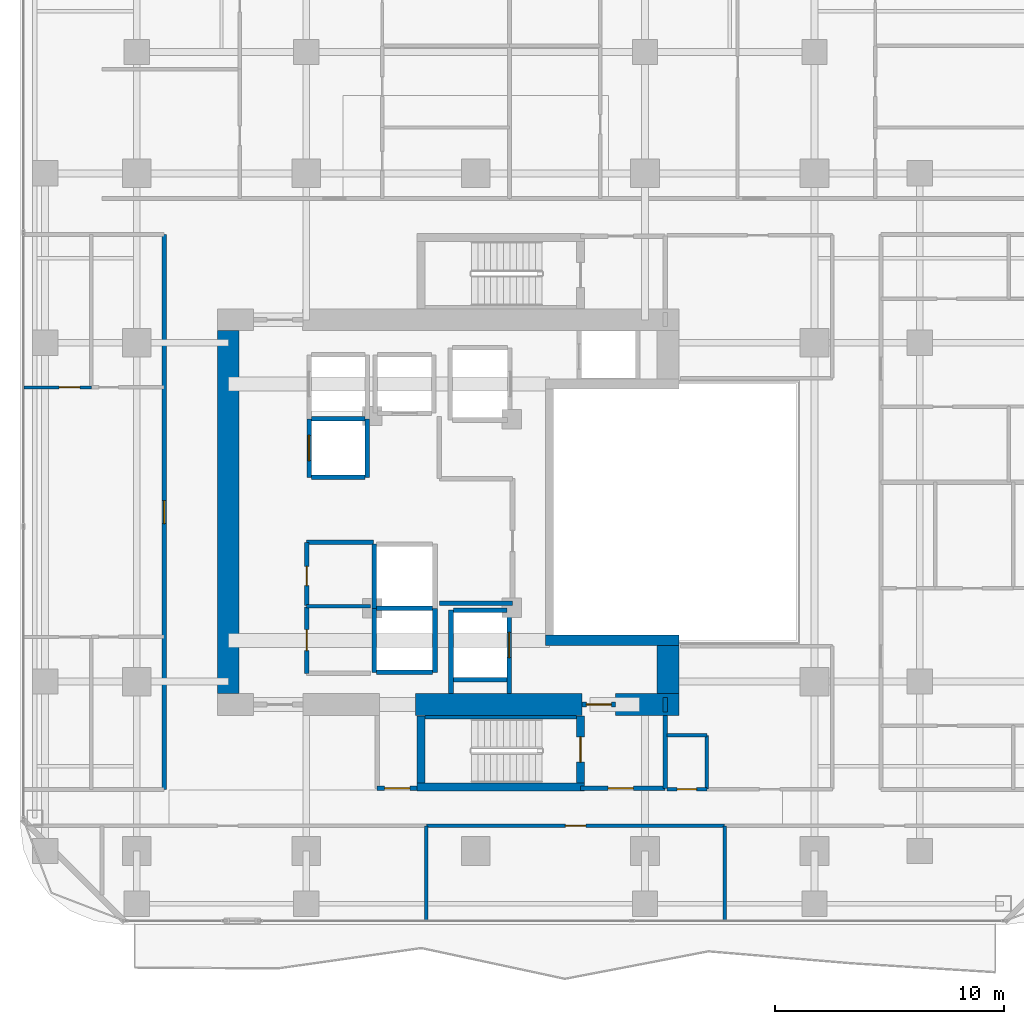
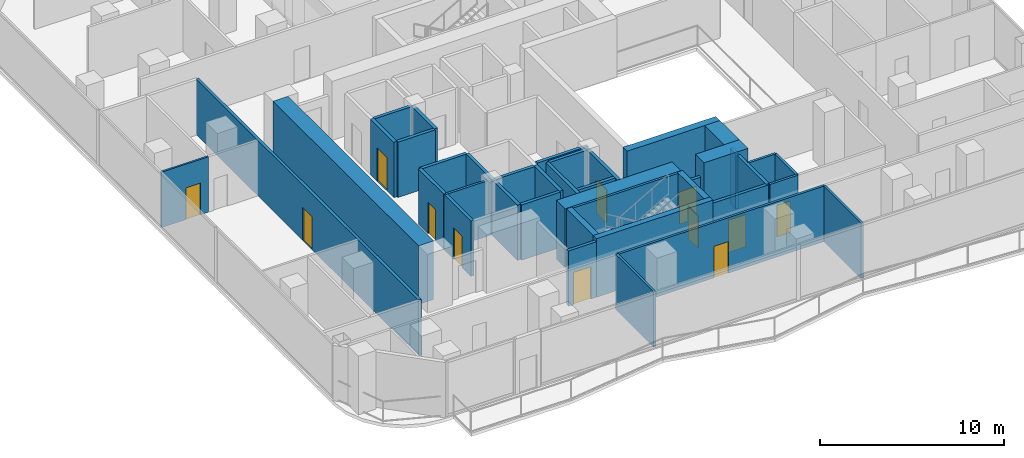
# One storey, part 20 of 27: 40 walls, 12 doors, 12 openings.
"""IFC4 building model written with IfcOpenShell, lengths in metres."""

from ifc_helpers import new_model, si_unit, direction, frame, frame_2d, origin, place, context, subcontext, project, spatial, rectangle, extrude, material, layer, layer_set, type_object, element, fill, save


model = new_model("IFC4")

# Units and contexts
model_context = context("Model", 3, precision=1e-05, world=origin(), true_north=direction((0.0, 1.0)))
body_context = subcontext(model_context, "Body", "Model", "MODEL_VIEW")
ifc_project = project(units=[si_unit("LENGTHUNIT", "METRE"), si_unit("AREAUNIT", "SQUARE_METRE"), si_unit("VOLUMEUNIT", "CUBIC_METRE"), si_unit("PLANEANGLEUNIT", "RADIAN"), si_unit("MASSUNIT", "GRAM", prefix="KILO")], contexts=[model_context])

# Site, building, storey
site_placement = place(None, origin())
site = spatial("IfcSite", under=ifc_project, at=site_placement, CompositionType="ELEMENT")
building_placement = place(site_placement, origin())
building = spatial("IfcBuilding", under=site, at=building_placement, Name="Khorvyn Point Tower", CompositionType="ELEMENT")
storey_placement = place(building_placement, frame((0.0, 0.0, 129.0)))
storey = spatial("IfcBuildingStorey", under=building, at=storey_placement, Name="L32", CompositionType="ELEMENT", Elevation=129.0)

# Wall, opening, door
ifc_material_1 = material(Name="Double acoustic gypsum on twin steel stud", Category="steel")
ifc_layer_1 = layer(ifc_material_1, 0.179931640625)
ifc_layer_set_1 = layer_set([ifc_layer_1], Name="Acoustic Double-Stud Apartment Demising Wall 180")
wall_type_1 = type_object("IfcWallType", Name="Acoustic Double-Stud Apartment Demising Wall 180", PredefinedType="PARTITIONING", material=ifc_layer_set_1)
wall_1_placement = place(storey_placement, frame((-13.60009765625, -12.1201171875, 0.0), z_axis=(0.0, 0.0, 1.0), x_axis=(0.0, 1.0, 0.0)))
wall_1 = element("IfcWall", 1, at=wall_1_placement, inside=storey, type_object=wall_type_1, Name="Wall", PredefinedType="PARTITIONING", context=body_context, shape_type="SweptSolid", body=[
    extrude(rectangle(XDim=24.240234375, YDim=0.179931640625, at=frame_2d((12.1201171875, 0.0))), origin(), (0.0, 0.0, 1.0), 3.679931640625),
])
opening_1_placement = place(wall_1_placement, frame((11.6201171875, 0.0, 0.0)))
opening_1 = element("IfcOpeningElement", 2, at=opening_1_placement, cuts=wall_1, Name="Opening ID-AP60", PredefinedType="OPENING", context=body_context, shape_type="SweptSolid", body=[
    extrude(rectangle(XDim=1.0, YDim=2.199951171875, at=frame_2d((0.5, 1.10009765625))), frame((0.0, 0.099853515625, 0.0), z_axis=(0.0, -1.0, 0.0), x_axis=(1.0, 0.0, 0.0)), (0.0, 0.0, 1.0), 0.199951171875),
])
ifc_material_2 = material(Name="Engineered hardwood fire-rated leaf", Category="wood")
door_type_1 = type_object("IfcDoorType", Name="Acoustic Solid-Core Timber Apartment Entrance Door 1000x2200", OperationType="NOTDEFINED", PredefinedType="DOOR", material=ifc_material_2)
door_1_placement = place(opening_1_placement, origin())
door_1 = element("IfcDoor", 3, at=door_1_placement, inside=storey, type_object=door_type_1, Name="Door", OperationType="SINGLE_SWING_LEFT", OverallHeight=2.199951171875, OverallWidth=1.0, PredefinedType="DOOR", context=body_context, shape_type="SweptSolid", body=[
    extrude(rectangle(XDim=1.0, YDim=2.199951171875, at=frame_2d((0.5, 1.10009765625))), frame((0.0, 0.02490234375, 0.0), z_axis=(0.0, -1.0, 0.0), x_axis=(1.0, 0.0, 0.0)), (0.0, 0.0, 1.0), 0.050048828125),
])
fill(opening_1, door_1)

# Wall
ifc_material_3 = material(Name="Concrete C40/50", Category="concrete")
ifc_layer_2 = layer(ifc_material_3, 0.449951171875)
ifc_layer_set_2 = layer_set([ifc_layer_2], Name="Concrete C40/50 Core Shear Wall 450")
wall_type_2 = type_object("IfcWallType", Name="Concrete C40/50 Core Shear Wall 450", PredefinedType="SHEAR", material=ifc_layer_set_2)
wall_2_placement = place(storey_placement, frame((3.044921875, -5.60009765625, 0.0), z_axis=(0.0, 0.0, 1.0), x_axis=(1.0, 0.0, 0.0)))
element("IfcWall", 4, at=wall_2_placement, inside=storey, type_object=wall_type_2, Name="Wall", PredefinedType="SHEAR", context=body_context, shape_type="SweptSolid", body=[
    extrude(rectangle(XDim=5.830078125, YDim=0.449951171875, at=frame_2d((2.9150390625, 0.0))), origin(), (0.0, 0.0, 1.0), 3.89990234375),
])

# Wall, opening, door
ifc_layer_3 = layer(ifc_material_3, 0.199951171875)
ifc_layer_set_3 = layer_set([ifc_layer_3], Name="Concrete C40/50 Fire-Lobby Compartment Wall 200")
wall_type_3 = type_object("IfcWallType", Name="Concrete C40/50 Fire-Lobby Compartment Wall 200", PredefinedType="SOLIDWALL", material=ifc_layer_set_3)
wall_3_placement = place(storey_placement, frame((4.580078125, -12.06005859375, 0.0), z_axis=(0.0, 0.0, 1.0), x_axis=(1.0, 0.0, 0.0)))
wall_3 = element("IfcWall", 5, at=wall_3_placement, inside=storey, type_object=wall_type_3, Name="Wall", PredefinedType="SOLIDWALL", context=body_context, shape_type="SweptSolid", body=[
    extrude(rectangle(XDim=3.699951171875, YDim=0.199951171875, at=frame_2d((1.85009765625, 0.0))), origin(), (0.0, 0.0, 1.0), 3.679931640625),
])
opening_2_placement = place(wall_3_placement, frame((1.21240234375, 0.0, 0.0)))
opening_2 = element("IfcOpeningElement", 6, at=opening_2_placement, cuts=wall_3, Name="Opening ID-FL90", PredefinedType="OPENING", context=body_context, shape_type="SweptSolid", body=[
    extrude(rectangle(XDim=1.10009765625, YDim=2.14990234375, at=frame_2d((0.550048828125, 1.074951171875))), frame((0.0, 0.10986328125, 0.0), z_axis=(0.0, -1.0, 0.0), x_axis=(1.0, 0.0, 0.0)), (0.0, 0.0, 1.0), 0.219970703125),
])
ifc_material_4 = material(Name="Galvanised powder-coated steel", Category="steel")
door_type_2 = type_object("IfcDoorType", Name="Fire-Rated Steel Lobby and Stair Door 1100x2150", OperationType="NOTDEFINED", PredefinedType="DOOR", material=ifc_material_4)
door_2_placement = place(opening_2_placement, origin())
door_2 = element("IfcDoor", 7, at=door_2_placement, inside=storey, type_object=door_type_2, Name="Door", OperationType="SINGLE_SWING_RIGHT", OverallHeight=2.14990234375, OverallWidth=1.10009765625, PredefinedType="DOOR", context=body_context, shape_type="SweptSolid", body=[
    extrude(rectangle(XDim=1.10009765625, YDim=2.14990234375, at=frame_2d((0.550048828125, 1.074951171875))), frame((0.0, 0.02490234375, 0.0), z_axis=(0.0, -1.0, 0.0), x_axis=(1.0, 0.0, 0.0)), (0.0, 0.0, 1.0), 0.050048828125),
])
fill(opening_2, door_2)

wall_4_placement = place(storey_placement, frame((4.64990234375, -8.39990234375, 0.0), z_axis=(0.0, 0.0, 1.0), x_axis=(1.0, 0.0, 0.0)))
wall_4 = element("IfcWall", 8, at=wall_4_placement, inside=storey, type_object=wall_type_3, Name="Wall", PredefinedType="SOLIDWALL", context=body_context, shape_type="SweptSolid", body=[
    extrude(rectangle(XDim=1.47021484375, YDim=0.199951171875, at=frame_2d((0.735107421875, 0.0))), origin(), (0.0, 0.0, 1.0), 2.719970703125),
])
opening_3_placement = place(wall_4_placement, frame((0.18505859375, 0.0, 0.0)))
opening_3 = element("IfcOpeningElement", 9, at=opening_3_placement, cuts=wall_4, Name="Opening ID-FL90", PredefinedType="OPENING", context=body_context, shape_type="SweptSolid", body=[
    extrude(rectangle(XDim=1.10009765625, YDim=2.14990234375, at=frame_2d((0.550048828125, 1.074951171875))), frame((0.0, 0.10986328125, 0.0), z_axis=(0.0, -1.0, 0.0), x_axis=(1.0, 0.0, 0.0)), (0.0, 0.0, 1.0), 0.219970703125),
])
door_3_placement = place(opening_3_placement, origin())
door_3 = element("IfcDoor", 10, at=door_3_placement, inside=storey, type_object=door_type_2, Name="Door", OperationType="SINGLE_SWING_LEFT", OverallHeight=2.14990234375, OverallWidth=1.10009765625, PredefinedType="DOOR", context=body_context, shape_type="SweptSolid", body=[
    extrude(rectangle(XDim=1.10009765625, YDim=2.14990234375, at=frame_2d((0.550048828125, 1.074951171875))), frame((0.0, 0.02490234375, 0.0), z_axis=(0.0, -1.0, 0.0), x_axis=(1.0, 0.0, 0.0)), (0.0, 0.0, 1.0), 0.050048828125),
])
fill(opening_3, door_3)

wall_5_placement = place(storey_placement, frame((-4.300048828125, -12.06005859375, 0.0), z_axis=(0.0, 0.0, 1.0), x_axis=(1.0, 0.0, 0.0)))
wall_5 = element("IfcWall", 11, at=wall_5_placement, inside=storey, type_object=wall_type_3, Name="Wall", PredefinedType="SOLIDWALL", context=body_context, shape_type="SweptSolid", body=[
    extrude(rectangle(XDim=1.75, YDim=0.199951171875, at=frame_2d((0.875, 0.0))), origin(), (0.0, 0.0, 1.0), 3.679931640625),
])
opening_4_placement = place(wall_5_placement, frame((0.324951171875, 0.0, 0.0)))
opening_4 = element("IfcOpeningElement", 12, at=opening_4_placement, cuts=wall_5, Name="Opening ID-FL90", PredefinedType="OPENING", context=body_context, shape_type="SweptSolid", body=[
    extrude(rectangle(XDim=1.10009765625, YDim=2.14990234375, at=frame_2d((0.550048828125, 1.074951171875))), frame((0.0, 0.10986328125, 0.0), z_axis=(0.0, -1.0, 0.0), x_axis=(1.0, 0.0, 0.0)), (0.0, 0.0, 1.0), 0.219970703125),
])
door_4_placement = place(opening_4_placement, origin())
door_4 = element("IfcDoor", 13, at=door_4_placement, inside=storey, type_object=door_type_2, Name="Door", OperationType="SINGLE_SWING_LEFT", OverallHeight=2.14990234375, OverallWidth=1.10009765625, PredefinedType="DOOR", context=body_context, shape_type="SweptSolid", body=[
    extrude(rectangle(XDim=1.10009765625, YDim=2.14990234375, at=frame_2d((0.550048828125, 1.074951171875))), frame((0.0, 0.02490234375, 0.0), z_axis=(0.0, -1.0, 0.0), x_axis=(1.0, 0.0, 0.0)), (0.0, 0.0, 1.0), 0.050048828125),
])
fill(opening_4, door_4)

wall_6_placement = place(storey_placement, frame((-7.3798828125, -7.0400390625, 0.0), z_axis=(0.0, 0.0, 1.0), x_axis=(0.0, 1.0, 0.0)))
wall_6 = element("IfcWall", 14, at=wall_6_placement, inside=storey, type_object=wall_type_3, Name="Wall", PredefinedType="SOLIDWALL", context=body_context, shape_type="SweptSolid", body=[
    extrude(rectangle(XDim=2.900146484375, YDim=0.199951171875, at=frame_2d((1.4501953125, 0.0))), origin(), (0.0, 0.0, 1.0), 3.679931640625),
])
opening_5_placement = place(wall_6_placement, frame((0.989990234375, 0.0, 0.0)))
opening_5 = element("IfcOpeningElement", 15, at=opening_5_placement, cuts=wall_6, Name="Opening ID-RS60", PredefinedType="OPENING", context=body_context, shape_type="SweptSolid", body=[
    extrude(rectangle(XDim=0.919921875, YDim=2.10009765625, at=frame_2d((0.4599609375, 1.050048828125))), frame((0.0, 0.10986328125, 0.0), z_axis=(0.0, -1.0, 0.0), x_axis=(1.0, 0.0, 0.0)), (0.0, 0.0, 1.0), 0.219970703125),
])
door_type_3 = type_object("IfcDoorType", Name="Fire-Rated Riser and Store Steel Door 920x2100", OperationType="NOTDEFINED", PredefinedType="DOOR", material=ifc_material_4)
door_5_placement = place(opening_5_placement, origin())
door_5 = element("IfcDoor", 16, at=door_5_placement, inside=storey, type_object=door_type_3, Name="Door", OperationType="SINGLE_SWING_LEFT", OverallHeight=2.10009765625, OverallWidth=0.919921875, PredefinedType="DOOR", context=body_context, shape_type="SweptSolid", body=[
    extrude(rectangle(XDim=0.919921875, YDim=2.10009765625, at=frame_2d((0.4599609375, 1.050048828125))), frame((0.0, 0.02490234375, 0.0), z_axis=(0.0, -1.0, 0.0), x_axis=(1.0, 0.0, 0.0)), (0.0, 0.0, 1.0), 0.050048828125),
])
fill(opening_5, door_5)

wall_7_placement = place(storey_placement, frame((-7.3798828125, -4.080078125, 0.0), z_axis=(0.0, 0.0, 1.0), x_axis=(0.0, 1.0, 0.0)))
wall_7 = element("IfcWall", 17, at=wall_7_placement, inside=storey, type_object=wall_type_3, Name="Wall", PredefinedType="SOLIDWALL", context=body_context, shape_type="SweptSolid", body=[
    extrude(rectangle(XDim=2.760009765625, YDim=0.199951171875, at=frame_2d((1.3798828125, 0.0))), origin(), (0.0, 0.0, 1.0), 3.679931640625),
])
opening_6_placement = place(wall_7_placement, frame((0.86669921875, 0.0, 0.0)))
opening_6 = element("IfcOpeningElement", 18, at=opening_6_placement, cuts=wall_7, Name="Opening ID-WC85", PredefinedType="OPENING", context=body_context, shape_type="SweptSolid", body=[
    extrude(rectangle(XDim=0.85009765625, YDim=2.10009765625, at=frame_2d((0.425048828125, 1.050048828125))), frame((0.0, 0.10986328125, 0.0), z_axis=(0.0, -1.0, 0.0), x_axis=(1.0, 0.0, 0.0)), (0.0, 0.0, 1.0), 0.219970703125),
])
ifc_material_5 = material(Name="High-pressure laminate on moisture-resistant core", Category="wood")
door_type_4 = type_object("IfcDoorType", Name="Moisture-Resistant Accessible Washroom Door 850x2100", OperationType="NOTDEFINED", PredefinedType="DOOR", material=ifc_material_5)
door_6_placement = place(opening_6_placement, origin())
door_6 = element("IfcDoor", 19, at=door_6_placement, inside=storey, type_object=door_type_4, Name="Door", OperationType="SINGLE_SWING_RIGHT", OverallHeight=2.10009765625, OverallWidth=0.85009765625, PredefinedType="DOOR", context=body_context, shape_type="SweptSolid", body=[
    extrude(rectangle(XDim=0.85009765625, YDim=2.10009765625, at=frame_2d((0.425048828125, 1.050048828125))), frame((0.0, 0.02490234375, 0.0), z_axis=(0.0, -1.0, 0.0), x_axis=(1.0, 0.0, 0.0)), (0.0, 0.0, 1.0), 0.050048828125),
])
fill(opening_6, door_6)

# Walls
wall_8_placement = place(storey_placement, frame((8.280029296875, -12.06005859375, 0.0), z_axis=(0.0, 0.0, 1.0), x_axis=(0.0, 1.0, 0.0)))
element("IfcWall", 20, at=wall_8_placement, inside=storey, type_object=wall_type_3, Name="Wall", PredefinedType="SOLIDWALL", context=body_context, shape_type="SweptSolid", body=[
    extrude(rectangle(XDim=3.18505859375, YDim=0.199951171875, at=frame_2d((1.592529296875, 0.0))), origin(), (0.0, 0.0, 1.0), 3.679931640625),
])
wall_9_placement = place(storey_placement, frame((-7.3798828125, -1.320068359375, 0.0), z_axis=(0.0, 0.0, 1.0), x_axis=(1.0, 0.0, 0.0)))
element("IfcWall", 21, at=wall_9_placement, inside=storey, type_object=wall_type_3, Name="Wall", PredefinedType="SOLIDWALL", context=body_context, shape_type="SweptSolid", body=[
    extrude(rectangle(XDim=2.909912109375, YDim=0.199951171875, at=frame_2d((1.455078125, 0.0))), origin(), (0.0, 0.0, 1.0), 3.679931640625),
])
wall_10_placement = place(storey_placement, frame((-1.580078125, -3.97998046875, 0.0), z_axis=(0.0, 0.0, 1.0), x_axis=(1.0, 0.0, 0.0)))
element("IfcWall", 22, at=wall_10_placement, inside=storey, type_object=wall_type_3, Name="Wall", PredefinedType="SOLIDWALL", context=body_context, shape_type="SweptSolid", body=[
    extrude(rectangle(XDim=3.190185546875, YDim=0.199951171875, at=frame_2d((1.59521484375, 0.0))), origin(), (0.0, 0.0, 1.0), 3.679931640625),
])
wall_11_placement = place(storey_placement, frame((8.280029296875, -8.72509765625, 0.0), z_axis=(0.0, 0.0, 1.0), x_axis=(0.0, 1.0, 0.0)))
element("IfcWall", 23, at=wall_11_placement, inside=storey, type_object=wall_type_3, Name="Wall", PredefinedType="SOLIDWALL", context=body_context, shape_type="SweptSolid", body=[
    extrude(rectangle(XDim=0.625, YDim=0.199951171875, at=frame_2d((0.3125, 0.0))), origin(), (0.0, 0.0, 1.0), 3.679931640625),
])
ifc_layer_4 = layer(ifc_material_3, 0.25)
ifc_layer_set_4 = layer_set([ifc_layer_4], Name="Concrete C40/50 Stair Inner Cheek Structural Wall 250")
wall_type_4 = type_object("IfcWallType", Name="Concrete C40/50 Stair Inner Cheek Structural Wall 250", PredefinedType="SHEAR", material=ifc_layer_set_4)
wall_12_placement = place(storey_placement, frame((-2.199951171875, -8.949951171875, 0.0), z_axis=(0.0, 0.0, 1.0), x_axis=(1.0, 0.0, 0.0)))
element("IfcWall", 24, at=wall_12_placement, inside=storey, type_object=wall_type_4, Name="Wall", PredefinedType="SHEAR", context=body_context, shape_type="SweptSolid", body=[
    extrude(rectangle(XDim=6.599853515625, YDim=0.14990234375, at=frame_2d((3.2998046875, 0.0))), origin(), (0.0, 0.0, 1.0), 3.89990234375),
])
ifc_layer_5 = layer(ifc_material_3, 0.35009765625)
ifc_layer_set_5 = layer_set([ifc_layer_5], Name="Concrete C40/50 Stair Shaft Structural Wall 350")
wall_type_5 = type_object("IfcWallType", Name="Concrete C40/50 Stair Shaft Structural Wall 350", PredefinedType="SHEAR", material=ifc_layer_set_5)
wall_13_placement = place(storey_placement, frame((-2.554931640625, -12.0, 0.0), z_axis=(0.0, 0.0, 1.0), x_axis=(1.0, 0.0, 0.0)))
element("IfcWall", 25, at=wall_13_placement, inside=storey, type_object=wall_type_5, Name="L32 ST-01 South Shaft Wall", PredefinedType="SHEAR", context=body_context, shape_type="SweptSolid", body=[
    extrude(rectangle(XDim=7.309814453125, YDim=0.35009765625, at=frame_2d((3.65478515625, 0.0))), origin(), (0.0, 0.0, 1.0), 3.89990234375),
])
wall_14_placement = place(storey_placement, frame((-2.3798828125, -11.824951171875, 0.0), z_axis=(0.0, 0.0, 1.0), x_axis=(0.0, 1.0, 0.0)))
element("IfcWall", 26, at=wall_14_placement, inside=storey, type_object=wall_type_5, Name="L32 ST-01 West Shaft Wall", PredefinedType="SHEAR", context=body_context, shape_type="SweptSolid", body=[
    extrude(rectangle(XDim=2.925048828125, YDim=0.35009765625, at=frame_2d((1.46240234375, 0.0))), origin(), (0.0, 0.0, 1.0), 3.89990234375),
])

# Wall, opening, door
wall_15_placement = place(storey_placement, frame((4.580078125, -8.89990234375, 0.0), z_axis=(0.0, 0.0, 1.0), x_axis=(0.0, -1.0, 0.0)))
wall_15 = element("IfcWall", 27, at=wall_15_placement, inside=storey, type_object=wall_type_5, Name="L32 ST-01 East Landing Door Wall", PredefinedType="SHEAR", context=body_context, shape_type="SweptSolid", body=[
    extrude(rectangle(XDim=2.925048828125, YDim=0.35009765625, at=frame_2d((1.46240234375, 0.0))), origin(), (0.0, 0.0, 1.0), 3.89990234375),
])
opening_7_placement = place(wall_15_placement, frame((0.91259765625, 0.0, 0.0)))
opening_7 = element("IfcOpeningElement", 28, at=opening_7_placement, cuts=wall_15, Name="Opening ID-FL90", PredefinedType="OPENING", context=body_context, shape_type="SweptSolid", body=[
    extrude(rectangle(XDim=1.10009765625, YDim=2.14990234375, at=frame_2d((0.550048828125, 1.074951171875))), frame((0.0, 0.18505859375, 0.0), z_axis=(0.0, -1.0, 0.0), x_axis=(1.0, 0.0, 0.0)), (0.0, 0.0, 1.0), 0.3701171875),
])
door_7_placement = place(opening_7_placement, origin())
door_7 = element("IfcDoor", 29, at=door_7_placement, inside=storey, type_object=door_type_2, Name="L32 ST-01 Smokeproof Landing Door", OperationType="SINGLE_SWING_RIGHT", OverallHeight=2.14990234375, OverallWidth=1.10009765625, PredefinedType="DOOR", context=body_context, shape_type="SweptSolid", body=[
    extrude(rectangle(XDim=1.10009765625, YDim=2.14990234375, at=frame_2d((0.550048828125, 1.074951171875))), frame((0.0, 0.02490234375, 0.0), z_axis=(0.0, -1.0, 0.0), x_axis=(1.0, 0.0, 0.0)), (0.0, 0.0, 1.0), 0.050048828125),
])
fill(opening_7, door_7)

ifc_layer_6 = layer(ifc_material_3, 0.199951171875)
ifc_layer_set_6 = layer_set([ifc_layer_6], Name="Concrete C40/50 Structural Hoistway and Stair Shaft Wall 200")
wall_type_6 = type_object("IfcWallType", Name="Concrete C40/50 Structural Hoistway and Stair Shaft Wall 200", PredefinedType="SHEAR", material=ifc_layer_set_6)
wall_16_placement = place(storey_placement, frame((-7.27490234375, 1.52490234375, 0.0), z_axis=(0.0, 0.0, 1.0), x_axis=(0.0, 1.0, 0.0)))
wall_16 = element("IfcWall", 30, at=wall_16_placement, inside=storey, type_object=wall_type_6, Name="Wall", PredefinedType="SHEAR", context=body_context, shape_type="SweptSolid", body=[
    extrude(rectangle(XDim=2.550048828125, YDim=0.199951171875, at=frame_2d((1.27490234375, 0.0))), origin(), (0.0, 0.0, 1.0), 3.679931640625),
])
opening_8_placement = place(wall_16_placement, frame((0.72509765625, 0.0, 0.0)))
opening_8 = element("IfcOpeningElement", 31, at=opening_8_placement, cuts=wall_16, Name="Opening LD-1122", PredefinedType="OPENING", context=body_context, shape_type="SweptSolid", body=[
    extrude(rectangle(XDim=1.10009765625, YDim=2.199951171875, at=frame_2d((0.550048828125, 1.10009765625))), frame((0.0, 0.10986328125, 0.0), z_axis=(0.0, -1.0, 0.0), x_axis=(1.0, 0.0, 0.0)), (0.0, 0.0, 1.0), 0.219970703125),
])
ifc_material_6 = material(Name="Stainless steel 1.4301", Category="steel")
door_type_5 = type_object("IfcDoorType", Name="Stainless Steel Automatic Sliding Lift Landing Door 1100x2200", OperationType="SLIDING_TO_LEFT", PredefinedType="DOOR", material=ifc_material_6)
door_8_placement = place(opening_8_placement, origin())
door_8 = element("IfcDoor", 32, at=door_8_placement, inside=storey, type_object=door_type_5, Name="L32 RM-01 Sliding Lift Landing Door", OperationType="SLIDING_TO_LEFT", OverallHeight=2.199951171875, OverallWidth=1.10009765625, PredefinedType="DOOR", context=body_context, shape_type="SweptSolid", body=[
    extrude(rectangle(XDim=1.10009765625, YDim=2.199951171875, at=frame_2d((0.550048828125, 1.10009765625))), frame((0.0, 0.02490234375, 0.0), z_axis=(0.0, -1.0, 0.0), x_axis=(1.0, 0.0, 0.0)), (0.0, 0.0, 1.0), 0.050048828125),
])
fill(opening_8, door_8)

# Walls
wall_17_placement = place(storey_placement, frame((-4.72509765625, 1.52490234375, 0.0), z_axis=(0.0, 0.0, 1.0), x_axis=(0.0, 1.0, 0.0)))
element("IfcWall", 33, at=wall_17_placement, inside=storey, type_object=wall_type_6, Name="Wall", PredefinedType="SHEAR", context=body_context, shape_type="SweptSolid", body=[
    extrude(rectangle(XDim=2.550048828125, YDim=0.199951171875, at=frame_2d((1.27490234375, 0.0))), origin(), (0.0, 0.0, 1.0), 3.679931640625),
])
for number, where, z_axis, x_axis, name in (
    (34, (-7.175048828125, 1.52490234375, 0.0), (0.0, 0.0, 1.0), (1.0, 0.0, 0.0), "Wall"),
    (35, (-7.175048828125, 4.074951171875, 0.0), (0.0, 0.0, 1.0), (1.0, 0.0, 0.0), "Wall"),
):
    element("IfcWall", number, at=place(storey_placement, frame(where, z_axis=z_axis, x_axis=x_axis)), inside=storey, type_object=wall_type_6, Name=name, PredefinedType="SHEAR", context=body_context, shape_type="SweptSolid", body=[
        extrude(rectangle(XDim=2.35009765625, YDim=0.199951171875, at=frame_2d((1.175048828125, 0.0))), origin(), (0.0, 0.0, 1.0), 3.679931640625),
    ])
for number, where, z_axis, x_axis, name in (
    (36, (-4.425048828125, -7.0, 0.0), (0.0, 0.0, 1.0), (0.0, 1.0, 0.0), "Wall"),
    (37, (-1.77490234375, -7.0, 0.0), (0.0, 0.0, 1.0), (0.0, 1.0, 0.0), "Wall"),
):
    element("IfcWall", number, at=place(storey_placement, frame(where, z_axis=z_axis, x_axis=x_axis)), inside=storey, type_object=wall_type_6, Name=name, PredefinedType="SHEAR", context=body_context, shape_type="SweptSolid", body=[
        extrude(rectangle(XDim=2.800048828125, YDim=0.199951171875, at=frame_2d((1.39990234375, 0.0))), origin(), (0.0, 0.0, 1.0), 3.679931640625),
    ])
for number, where, z_axis, x_axis, name in (
    (38, (-4.324951171875, -7.0, 0.0), (0.0, 0.0, 1.0), (1.0, 0.0, 0.0), "Wall"),
    (39, (-4.324951171875, -4.199951171875, 0.0), (0.0, 0.0, 1.0), (1.0, 0.0, 0.0), "Wall"),
):
    element("IfcWall", number, at=place(storey_placement, frame(where, z_axis=z_axis, x_axis=x_axis)), inside=storey, type_object=wall_type_6, Name=name, PredefinedType="SHEAR", context=body_context, shape_type="SweptSolid", body=[
        extrude(rectangle(XDim=2.449951171875, YDim=0.199951171875, at=frame_2d((1.22509765625, 0.0))), origin(), (0.0, 0.0, 1.0), 3.679931640625),
    ])
wall_18_placement = place(storey_placement, frame((-4.425048828125, -4.199951171875, 0.0), z_axis=(0.0, 0.0, 1.0), x_axis=(0.0, 1.0, 0.0)))
element("IfcWall", 40, at=wall_18_placement, inside=storey, type_object=wall_type_6, Name="Wall", PredefinedType="SHEAR", context=body_context, shape_type="SweptSolid", body=[
    extrude(rectangle(XDim=2.800048828125, YDim=0.199951171875, at=frame_2d((1.39990234375, 0.0))), origin(), (0.0, 0.0, 1.0), 3.679931640625),
])
wall_19_placement = place(storey_placement, frame((-1.074951171875, -7.925048828125, 0.0), z_axis=(0.0, 0.0, 1.0), x_axis=(0.0, 1.0, 0.0)))
element("IfcWall", 41, at=wall_19_placement, inside=storey, type_object=wall_type_6, Name="Wall", PredefinedType="SHEAR", context=body_context, shape_type="SweptSolid", body=[
    extrude(rectangle(XDim=3.650146484375, YDim=0.199951171875, at=frame_2d((1.8251953125, 0.0))), origin(), (0.0, 0.0, 1.0), 3.679931640625),
])

# Wall, opening, door
wall_20_placement = place(storey_placement, frame((1.47509765625, -7.925048828125, 0.0), z_axis=(0.0, 0.0, 1.0), x_axis=(0.0, 1.0, 0.0)))
wall_20 = element("IfcWall", 42, at=wall_20_placement, inside=storey, type_object=wall_type_6, Name="Wall", PredefinedType="SHEAR", context=body_context, shape_type="SweptSolid", body=[
    extrude(rectangle(XDim=3.650146484375, YDim=0.199951171875, at=frame_2d((1.8251953125, 0.0))), origin(), (0.0, 0.0, 1.0), 3.679931640625),
])
opening_9_placement = place(wall_20_placement, frame((1.574951171875, 0.0, 0.0)))
opening_9 = element("IfcOpeningElement", 43, at=opening_9_placement, cuts=wall_20, Name="Opening LD-1122", PredefinedType="OPENING", context=body_context, shape_type="SweptSolid", body=[
    extrude(rectangle(XDim=1.10009765625, YDim=2.199951171875, at=frame_2d((0.550048828125, 1.10009765625))), frame((0.0, 0.10986328125, 0.0), z_axis=(0.0, -1.0, 0.0), x_axis=(1.0, 0.0, 0.0)), (0.0, 0.0, 1.0), 0.219970703125),
])
door_9_placement = place(opening_9_placement, origin())
door_9 = element("IfcDoor", 44, at=door_9_placement, inside=storey, type_object=door_type_5, Name="L32 FF-01 Sliding Lift Landing Door", OperationType="SLIDING_TO_LEFT", OverallHeight=2.199951171875, OverallWidth=1.10009765625, PredefinedType="DOOR", context=body_context, shape_type="SweptSolid", body=[
    extrude(rectangle(XDim=1.10009765625, YDim=2.199951171875, at=frame_2d((0.550048828125, 1.10009765625))), frame((0.0, 0.02490234375, 0.0), z_axis=(0.0, -1.0, 0.0), x_axis=(1.0, 0.0, 0.0)), (0.0, 0.0, 1.0), 0.050048828125),
])
fill(opening_9, door_9)

# Walls
for number, where, z_axis, x_axis, name in (
    (45, (-0.97509765625, -7.324951171875, 0.0), (0.0, 0.0, 1.0), (1.0, 0.0, 0.0), "Wall"),
    (46, (-0.97509765625, -4.27490234375, 0.0), (0.0, 0.0, 1.0), (1.0, 0.0, 0.0), "Wall"),
):
    element("IfcWall", number, at=place(storey_placement, frame(where, z_axis=z_axis, x_axis=x_axis)), inside=storey, type_object=wall_type_6, Name=name, PredefinedType="SHEAR", context=body_context, shape_type="SweptSolid", body=[
        extrude(rectangle(XDim=2.35009765625, YDim=0.199951171875, at=frame_2d((1.175048828125, 0.0))), origin(), (0.0, 0.0, 1.0), 3.679931640625),
    ])
ifc_material_7 = material(Name="Concrete C50/60", Category="concrete")
ifc_layer_7 = layer(ifc_material_7, 0.949951171875)
ifc_layer_set_7 = layer_set([ifc_layer_7], Name="Concrete C50/60 Core Shear Wall 950")
wall_type_7 = type_object("IfcWallType", Name="Concrete C50/60 Core Shear Wall 950", PredefinedType="SHEAR", material=ifc_layer_set_7)
wall_21_placement = place(storey_placement, frame((-2.6201171875, -8.39990234375, 0.0), z_axis=(0.0, 0.0, 1.0), x_axis=(1.0, 0.0, 0.0)))
element("IfcWall", 47, at=wall_21_placement, inside=storey, type_object=wall_type_7, Name="Wall", PredefinedType="SHEAR", context=body_context, shape_type="SweptSolid", body=[
    extrude(rectangle(XDim=7.27001953125, YDim=0.949951171875, at=frame_2d((3.635009765625, 0.0))), origin(), (0.0, 0.0, 1.0), 3.89990234375),
])
wall_22_placement = place(storey_placement, frame((6.1201171875, -8.39990234375, 0.0), z_axis=(0.0, 0.0, 1.0), x_axis=(1.0, 0.0, 0.0)))
element("IfcWall", 48, at=wall_22_placement, inside=storey, type_object=wall_type_7, Name="Wall", PredefinedType="SHEAR", context=body_context, shape_type="SweptSolid", body=[
    extrude(rectangle(XDim=2.7548828125, YDim=0.949951171875, at=frame_2d((1.37744140625, 0.0))), origin(), (0.0, 0.0, 1.0), 3.89990234375),
])
wall_23_placement = place(storey_placement, frame((-10.800048828125, -7.925048828125, 0.0), z_axis=(0.0, 0.0, 1.0), x_axis=(0.0, 1.0, 0.0)))
element("IfcWall", 49, at=wall_23_placement, inside=storey, type_object=wall_type_7, Name="Wall", PredefinedType="SHEAR", context=body_context, shape_type="SweptSolid", body=[
    extrude(rectangle(XDim=15.85009765625, YDim=0.949951171875, at=frame_2d((7.925048828125, 0.0))), origin(), (0.0, 0.0, 1.0), 3.89990234375),
])
wall_24_placement = place(storey_placement, frame((8.39990234375, -7.925048828125, 0.0), z_axis=(0.0, 0.0, 1.0), x_axis=(0.0, 1.0, 0.0)))
element("IfcWall", 50, at=wall_24_placement, inside=storey, type_object=wall_type_7, Name="Wall", PredefinedType="SHEAR", context=body_context, shape_type="SweptSolid", body=[
    extrude(rectangle(XDim=2.10009765625, YDim=0.949951171875, at=frame_2d((1.050048828125, 0.0))), origin(), (0.0, 0.0, 1.0), 3.89990234375),
])

# Wall, opening, door
ifc_material_8 = material(Name="Gypsum plasterboard on steel stud", Category="steel")
ifc_layer_8 = layer(ifc_material_8, 0.1201171875)
ifc_layer_set_8 = layer_set([ifc_layer_8], Name="Gypsum Acoustic Stud Room Partition Wall 120")
wall_type_8 = type_object("IfcWallType", Name="Gypsum Acoustic Stud Room Partition Wall 120", PredefinedType="PARTITIONING", material=ifc_layer_set_8)
wall_25_placement = place(storey_placement, frame((-19.72998046875, 5.448974609375, 0.0), z_axis=(0.0, 0.0, 1.0), x_axis=(1.0, 0.0, 0.0)))
wall_25 = element("IfcWall", 51, at=wall_25_placement, inside=storey, type_object=wall_type_8, Name="Wall", PredefinedType="PARTITIONING", context=body_context, shape_type="SweptSolid", body=[
    extrude(rectangle(XDim=2.946044921875, YDim=0.1201171875, at=frame_2d((1.47314453125, 0.0))), origin(), (0.0, 0.0, 1.0), 3.679931640625),
])
opening_10_placement = place(wall_25_placement, frame((1.540771484375, 0.0, 0.0)))
opening_10 = element("IfcOpeningElement", 52, at=opening_10_placement, cuts=wall_25, Name="Opening ID-RM90", PredefinedType="OPENING", context=body_context, shape_type="SweptSolid", body=[
    extrude(rectangle(XDim=0.89990234375, YDim=2.10009765625, at=frame_2d((0.449951171875, 1.050048828125))), frame((0.0, 0.070068359375, 0.0), z_axis=(0.0, -1.0, 0.0), x_axis=(1.0, 0.0, 0.0)), (0.0, 0.0, 1.0), 0.14013671875),
])
ifc_material_9 = material(Name="Engineered oak veneer timber", Category="wood")
door_type_6 = type_object("IfcDoorType", Name="Flush Engineered Timber Room Door 900x2100", OperationType="NOTDEFINED", PredefinedType="DOOR", material=ifc_material_9)
door_10_placement = place(opening_10_placement, origin())
door_10 = element("IfcDoor", 53, at=door_10_placement, inside=storey, type_object=door_type_6, Name="Door", OperationType="SINGLE_SWING_LEFT", OverallHeight=2.10009765625, OverallWidth=0.89990234375, PredefinedType="DOOR", context=body_context, shape_type="SweptSolid", body=[
    extrude(rectangle(XDim=0.89990234375, YDim=2.10009765625, at=frame_2d((0.449951171875, 1.050048828125))), frame((0.0, 0.02490234375, 0.0), z_axis=(0.0, -1.0, 0.0), x_axis=(1.0, 0.0, 0.0)), (0.0, 0.0, 1.0), 0.050048828125),
])
fill(opening_10, door_10)

ifc_material_10 = material(Name="Moisture-resistant gypsum and cement board", Category="gypsum")
ifc_layer_9 = layer(ifc_material_10, 0.14990234375)
ifc_layer_set_9 = layer_set([ifc_layer_9], Name="Moisture-Resistant Wet-Room Partition Wall 150")
wall_type_9 = type_object("IfcWallType", Name="Moisture-Resistant Wet-Room Partition Wall 150", PredefinedType="PARTITIONING", material=ifc_layer_set_9)
wall_26_placement = place(storey_placement, frame((8.360107421875, -12.10009765625, 0.0), z_axis=(0.0, 0.0, 1.0), x_axis=(1.0, 0.0, 0.0)))
wall_26 = element("IfcWall", 54, at=wall_26_placement, inside=storey, type_object=wall_type_9, Name="Wall", PredefinedType="PARTITIONING", context=body_context, shape_type="SweptSolid", body=[
    extrude(rectangle(XDim=1.739990234375, YDim=0.14990234375, at=frame_2d((0.8701171875, 0.0))), origin(), (0.0, 0.0, 1.0), 3.679931640625),
])
opening_11_placement = place(wall_26_placement, frame((0.445068359375, 0.0, 0.0)))
opening_11 = element("IfcOpeningElement", 55, at=opening_11_placement, cuts=wall_26, Name="Opening ID-WC85", PredefinedType="OPENING", context=body_context, shape_type="SweptSolid", body=[
    extrude(rectangle(XDim=0.85009765625, YDim=2.10009765625, at=frame_2d((0.425048828125, 1.050048828125))), frame((0.0, 0.0849609375, 0.0), z_axis=(0.0, -1.0, 0.0), x_axis=(1.0, 0.0, 0.0)), (0.0, 0.0, 1.0), 0.169921875),
])
door_11_placement = place(opening_11_placement, origin())
door_11 = element("IfcDoor", 56, at=door_11_placement, inside=storey, type_object=door_type_4, Name="Door", OperationType="SINGLE_SWING_LEFT", OverallHeight=2.10009765625, OverallWidth=0.85009765625, PredefinedType="DOOR", context=body_context, shape_type="SweptSolid", body=[
    extrude(rectangle(XDim=0.85009765625, YDim=2.10009765625, at=frame_2d((0.425048828125, 1.050048828125))), frame((0.0, 0.02490234375, 0.0), z_axis=(0.0, -1.0, 0.0), x_axis=(1.0, 0.0, 0.0)), (0.0, 0.0, 1.0), 0.050048828125),
])
fill(opening_11, door_11)

wall_27_placement = place(storey_placement, frame((-2.14990234375, -13.699951171875, 0.0), z_axis=(0.0, 0.0, 1.0), x_axis=(1.0, 0.0, 0.0)))
wall_27 = element("IfcWall", 57, at=wall_27_placement, inside=storey, type_object=wall_type_9, Name="Wall", PredefinedType="PARTITIONING", context=body_context, shape_type="SweptSolid", body=[
    extrude(rectangle(XDim=13.031005859375, YDim=0.14990234375, at=frame_2d((6.515625, 0.0))), origin(), (0.0, 0.0, 1.0), 3.679931640625),
])
opening_12_placement = place(wall_27_placement, frame((6.0654296875, 0.0, 0.0)))
opening_12 = element("IfcOpeningElement", 58, at=opening_12_placement, cuts=wall_27, Name="Opening ID-RM90", PredefinedType="OPENING", context=body_context, shape_type="SweptSolid", body=[
    extrude(rectangle(XDim=0.89990234375, YDim=2.10009765625, at=frame_2d((0.449951171875, 1.050048828125))), frame((0.0, 0.0849609375, 0.0), z_axis=(0.0, -1.0, 0.0), x_axis=(1.0, 0.0, 0.0)), (0.0, 0.0, 1.0), 0.169921875),
])
door_12_placement = place(opening_12_placement, origin())
door_12 = element("IfcDoor", 59, at=door_12_placement, inside=storey, type_object=door_type_6, Name="Door", OperationType="SINGLE_SWING_LEFT", OverallHeight=2.10009765625, OverallWidth=0.89990234375, PredefinedType="DOOR", context=body_context, shape_type="SweptSolid", body=[
    extrude(rectangle(XDim=0.89990234375, YDim=2.10009765625, at=frame_2d((0.449951171875, 1.050048828125))), frame((0.0, 0.02490234375, 0.0), z_axis=(0.0, -1.0, 0.0), x_axis=(1.0, 0.0, 0.0)), (0.0, 0.0, 1.0), 0.050048828125),
])
fill(opening_12, door_12)

# Walls
wall_28_placement = place(storey_placement, frame((-7.3798828125, -4.110107421875, 0.0), z_axis=(0.0, 0.0, 1.0), x_axis=(1.0, 0.0, 0.0)))
element("IfcWall", 60, at=wall_28_placement, inside=storey, type_object=wall_type_9, Name="Wall", PredefinedType="PARTITIONING", context=body_context, shape_type="SweptSolid", body=[
    extrude(rectangle(XDim=2.7998046875, YDim=0.14990234375, at=frame_2d((1.39990234375, 0.0))), origin(), (0.0, 0.0, 1.0), 3.679931640625),
])
wall_29_placement = place(storey_placement, frame((8.360107421875, -9.75, 0.0), z_axis=(0.0, 0.0, 1.0), x_axis=(1.0, 0.0, 0.0)))
element("IfcWall", 61, at=wall_29_placement, inside=storey, type_object=wall_type_9, Name="Wall", PredefinedType="PARTITIONING", context=body_context, shape_type="SweptSolid", body=[
    extrude(rectangle(XDim=1.739990234375, YDim=0.14990234375, at=frame_2d((0.8701171875, 0.0))), origin(), (0.0, 0.0, 1.0), 3.679931640625),
])
wall_30_placement = place(storey_placement, frame((10.10009765625, -12.10009765625, 0.0), z_axis=(0.0, 0.0, 1.0), x_axis=(0.0, 1.0, 0.0)))
element("IfcWall", 62, at=wall_30_placement, inside=storey, type_object=wall_type_9, Name="Wall", PredefinedType="PARTITIONING", context=body_context, shape_type="SweptSolid", body=[
    extrude(rectangle(XDim=2.35009765625, YDim=0.14990234375, at=frame_2d((1.175048828125, 0.0))), origin(), (0.0, 0.0, 1.0), 3.679931640625),
])
for number, where, z_axis, x_axis, name in (
    (63, (-2.14990234375, -17.830078125, 0.0), (0.0, 0.0, 1.0), (0.0, 1.0, 0.0), "Wall"),
    (64, (10.881103515625, -17.830078125, 0.0), (0.0, 0.0, 1.0), (0.0, 1.0, 0.0), "Wall"),
):
    element("IfcWall", number, at=place(storey_placement, frame(where, z_axis=z_axis, x_axis=x_axis)), inside=storey, type_object=wall_type_9, Name=name, PredefinedType="PARTITIONING", context=body_context, shape_type="SweptSolid", body=[
        extrude(rectangle(XDim=4.130126953125, YDim=0.14990234375, at=frame_2d((2.06494140625, 0.0))), origin(), (0.0, 0.0, 1.0), 3.679931640625),
    ])

save(model, "model.ifc")
